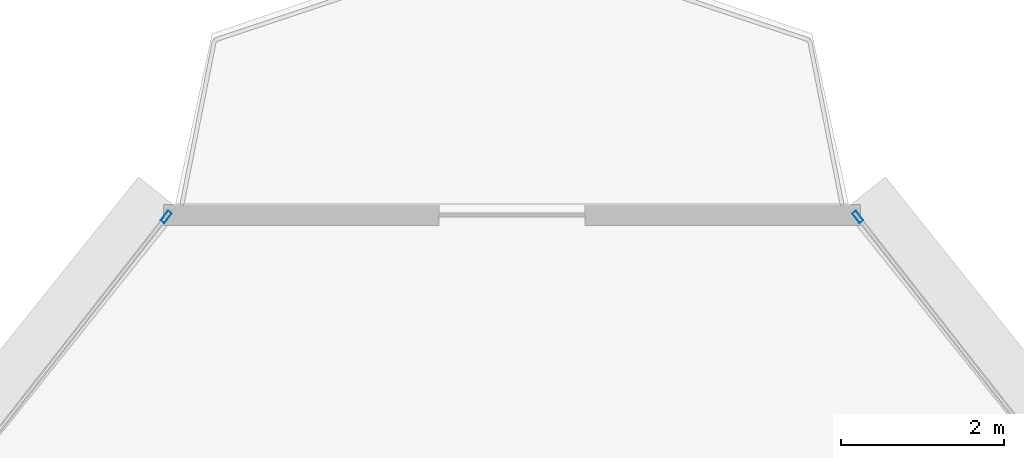
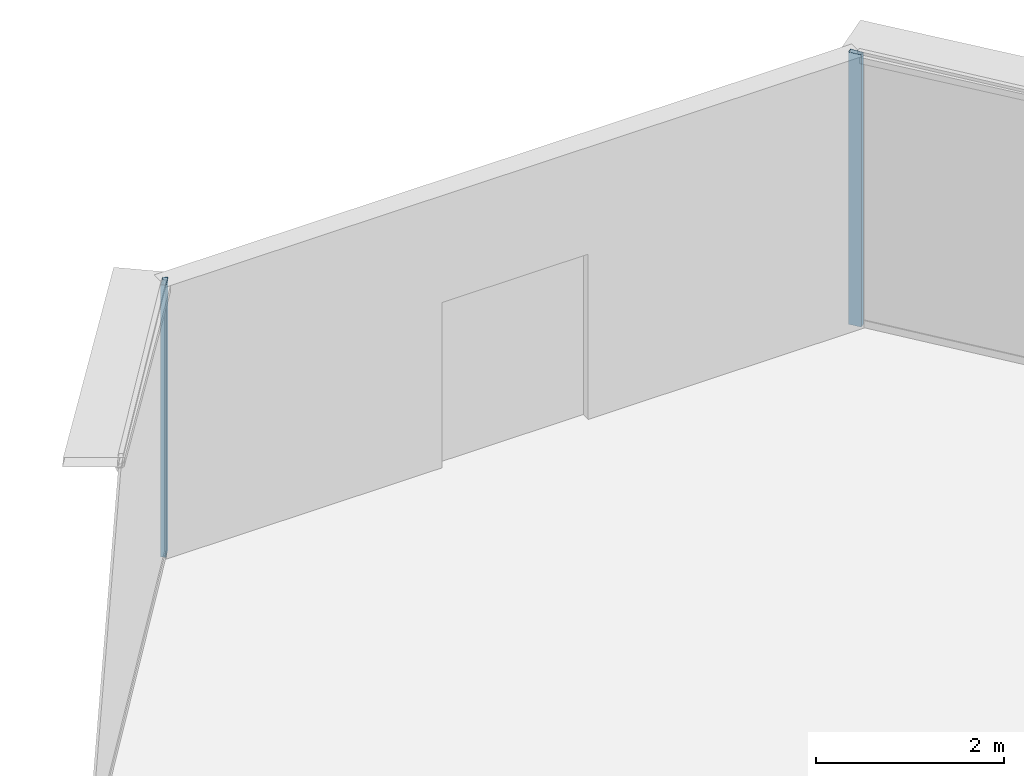
# One storey, part 27 of 40: 2 members, 2 elements without a shape of their own.
"""IFC4 building model written with IfcOpenShell, lengths in metres."""

from ifc_helpers import new_model, si_unit, direction, frame, origin, origin_2d, place, context, subcontext, project, spatial, hollow_rectangle, extrude, source, transform, mapped, material, layer, layer_set, material_profile, profile_set, type_object, element, aggregate, save


model = new_model("IFC4")

# Units and contexts
model_context = context("Model", 3, precision=1e-05, world=origin(), true_north=direction((0.0, 1.0)))
body_context = subcontext(model_context, "Body", "Model", "MODEL_VIEW")
ifc_project = project(units=[si_unit("LENGTHUNIT", "METRE"), si_unit("AREAUNIT", "SQUARE_METRE"), si_unit("VOLUMEUNIT", "CUBIC_METRE"), si_unit("PLANEANGLEUNIT", "RADIAN"), si_unit("MASSUNIT", "GRAM", prefix="KILO"), si_unit("THERMODYNAMICTEMPERATUREUNIT", "KELVIN"), si_unit("POWERUNIT", "WATT")], contexts=[model_context])

# Site, building, storey
site_placement = place(None, origin())
site = spatial("IfcSite", under=ifc_project, at=site_placement, CompositionType="ELEMENT")
building_placement = place(site_placement, origin())
building = spatial("IfcBuilding", under=site, at=building_placement, Name="Yunzhuo Pagoda Commons", CompositionType="ELEMENT")
storey_placement = place(building_placement, frame((0.0, 0.0, 180.9599609375)))
storey = spatial("IfcBuildingStorey", under=building, at=storey_placement, Name="L45", CompositionType="ELEMENT", Elevation=180.9599609375)

# Curtain wall, member
ifc_material = material(Name="Anodized aluminium 6063-T6", Category="aluminium")
ifc_layer = layer(ifc_material, 0.14990234375)
ifc_layer_set = layer_set([ifc_layer], Name="Anodized aluminium 6063-T6")
curtain_wall_type = type_object("IfcCurtainWallType", Name="CW-MID Mid-Zone Ribbon Curtain Wall", PredefinedType="NOTDEFINED", material=ifc_layer_set)
curtain_wall_1_placement = place(storey_placement, origin())
curtain_wall_1 = element("IfcCurtainWall", 1, at=curtain_wall_1_placement, inside=storey, type_object=curtain_wall_type, Name="L45 curtain wall CW-L45-F2B5", PredefinedType="NOTDEFINED")
ifc_material_profile = material_profile(ifc_material, hollow_rectangle(XDim=0.06005859375, YDim=0.14990234375, WallThickness=0.00390625, at=origin_2d()), Name="Anodized aluminium 6063-T6")
ifc_profile_set = profile_set([ifc_material_profile], Name="Anodized aluminium 6063-T6")
member_type = type_object("IfcMemberType", Name="CW-MID-M Mullion RHS 150x60x4", PredefinedType="MULLION", material=ifc_profile_set)
shared_shape = source(origin(), body_context, "Body", "SweptSolid", [
    extrude(hollow_rectangle(XDim=0.06005859375, YDim=0.14990234375, WallThickness=0.00390625, at=origin_2d()), origin(), (0.0, 0.0, 1.0), 3.5400390625),
])
member_1_placement = place(storey_placement, frame((52.25390625, 83.55908203125, 0.0), z_axis=(0.0, 0.0, 1.0), x_axis=(-0.786950244655, -0.617016460427, 0.0)))
member_1 = element("IfcMember", 2, at=member_1_placement, type_object=member_type, Name="CW mullion 2", PredefinedType="MULLION", context=body_context, shape_type="MappedRepresentation", body=[
    mapped(shared_shape, transform((0.0, 0.0, 0.0), scale=1.0)),
])
aggregate(curtain_wall_1, [member_1])

curtain_wall_2_placement = place(storey_placement, origin())
curtain_wall_2 = element("IfcCurtainWall", 3, at=curtain_wall_2_placement, inside=storey, type_object=curtain_wall_type, Name="L45 curtain wall CW-L45-F3B1", PredefinedType="NOTDEFINED")
member_2_placement = place(storey_placement, frame((43.74609375, 83.55908203125, 0.0), z_axis=(0.0, 0.0, 1.0), x_axis=(0.786950244655, -0.617016460427, 0.0)))
member_2 = element("IfcMember", 4, at=member_2_placement, type_object=member_type, Name="CW mullion 1", PredefinedType="MULLION", context=body_context, shape_type="MappedRepresentation", body=[
    mapped(shared_shape, transform((0.0, 0.0, 0.0), scale=1.0)),
])
aggregate(curtain_wall_2, [member_2])

save(model, "model.ifc")
